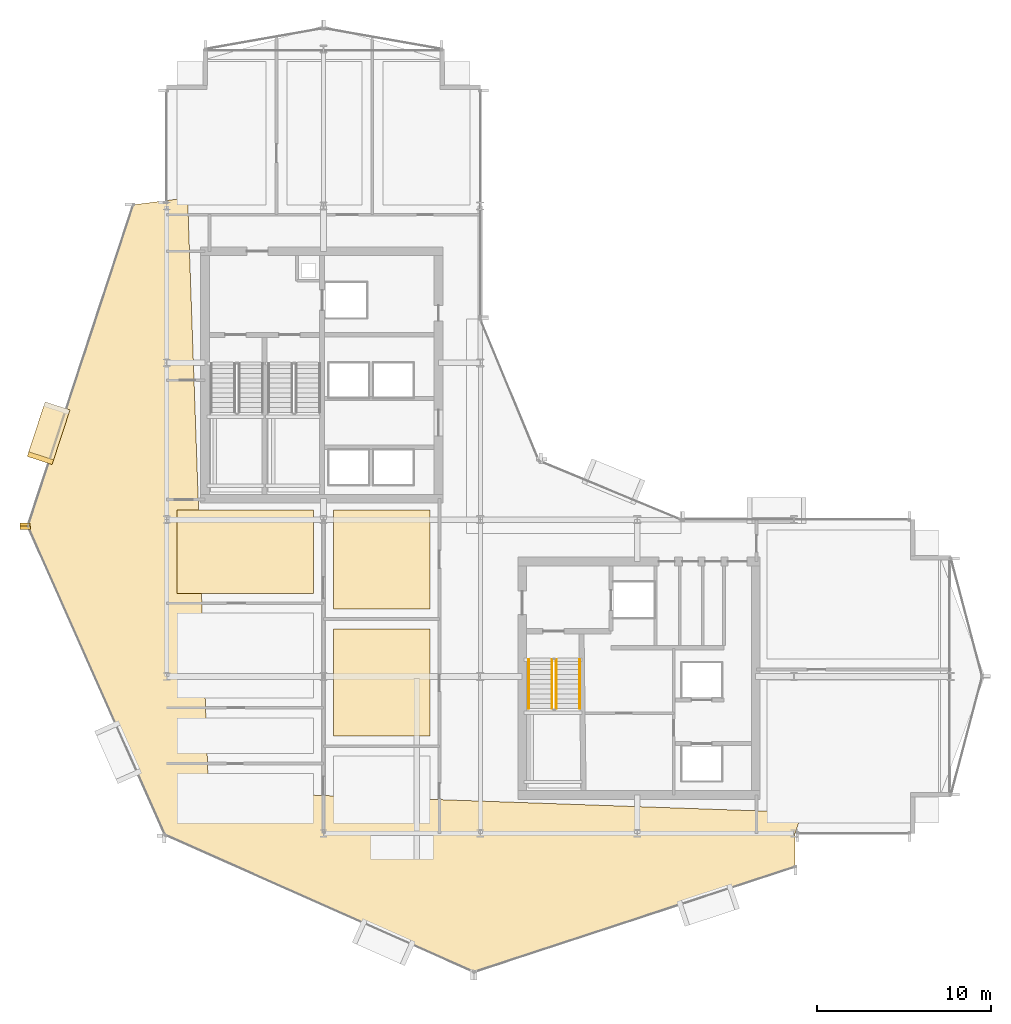
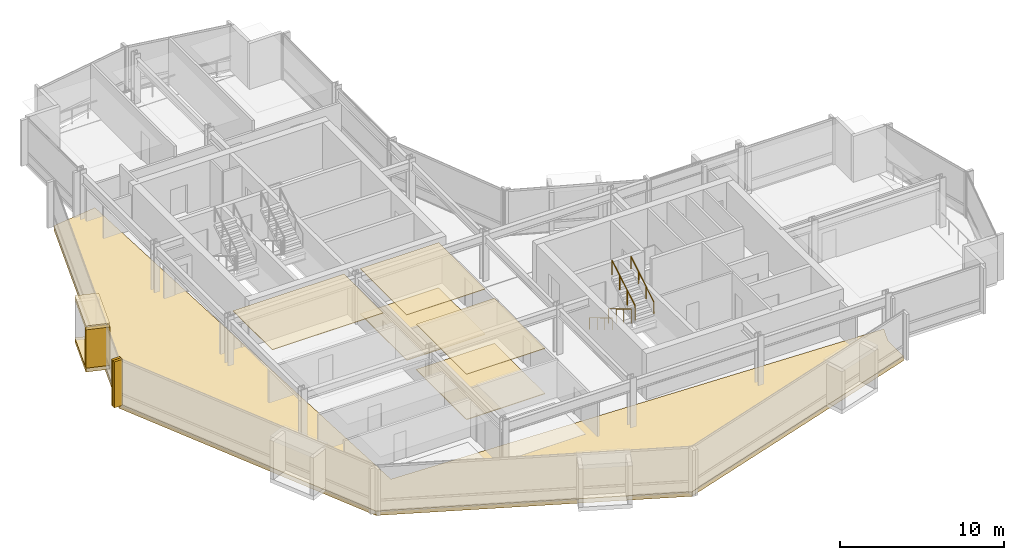
# One storey, part 25 of 28: 11 coverings, 4 railings.
"""IFC4 building model written with IfcOpenShell, lengths in metres."""

from ifc_helpers import new_model, si_unit, direction, frame, origin, origin_2d, place, context, subcontext, project, spatial, polyline, rectangle, circle, outline, extrude, material, layer, layer_set, type_object, element, save


model = new_model("IFC4")

# Units and contexts
model_context = context("Model", 3, precision=1e-05, world=origin(), true_north=direction((0.0, 1.0)))
body_context = subcontext(model_context, "Body", "Model", "MODEL_VIEW")
ifc_project = project(units=[si_unit("LENGTHUNIT", "METRE"), si_unit("AREAUNIT", "SQUARE_METRE"), si_unit("VOLUMEUNIT", "CUBIC_METRE"), si_unit("PLANEANGLEUNIT", "RADIAN"), si_unit("MASSUNIT", "GRAM", prefix="KILO")], contexts=[model_context])

# Site, building, storey
site_placement = place(None, origin())
site = spatial("IfcSite", under=ifc_project, at=site_placement, CompositionType="ELEMENT")
building_placement = place(site_placement, origin())
building = spatial("IfcBuilding", under=site, at=building_placement, Name="Solvaryn Broadcast Tower", CompositionType="ELEMENT")
storey_placement = place(building_placement, frame((0.0, 0.0, 135.89990234375)))
storey = spatial("IfcBuildingStorey", under=building, at=storey_placement, Name="L33", CompositionType="ELEMENT", Elevation=135.89990234375)

# Coverings
ifc_material_1 = material(Name="Micro-Perforated Acoustic Gypsum Ceiling", Category="concrete")
ifc_layer_1 = layer(ifc_material_1, 0.0400390625)
ifc_layer_set_1 = layer_set([ifc_layer_1], Name="CV-CEIL-ACOUSTIC")
covering_type_1 = type_object("IfcCoveringType", Name="CV-CEIL-ACOUSTIC", PredefinedType="CEILING", material=ifc_layer_set_1)
covering_1_placement = place(storey_placement, frame((0.0, 0.0, 3.380126953125)))
element("IfcCovering", 1, at=covering_1_placement, inside=storey, type_object=covering_type_1, Name="L33 Room Acoustic Ceiling 2", PredefinedType="CEILING", context=body_context, shape_type="SweptSolid", body=[
    extrude(outline(polyline([(18.570068359375, 14.570068359375), (24.10009765625, 14.570068359375), (24.10009765625, 20.72998046875), (18.570068359375, 20.72998046875), (18.570068359375, 14.570068359375)])), origin(), (0.0, 0.0, 1.0), 0.0400390625),
])
covering_2_placement = place(storey_placement, frame((0.0, 0.0, 3.380126953125)))
element("IfcCovering", 2, at=covering_2_placement, inside=storey, type_object=covering_type_1, Name="L33 Room Acoustic Ceiling 3", PredefinedType="CEILING", context=body_context, shape_type="SweptSolid", body=[
    extrude(outline(polyline([(18.570068359375, 21.8701171875), (24.10009765625, 21.8701171875), (24.10009765625, 27.56005859375), (18.570068359375, 27.56005859375), (18.570068359375, 21.8701171875)])), origin(), (0.0, 0.0, 1.0), 0.0400390625),
])
covering_3_placement = place(storey_placement, frame((0.0, 0.0, 3.380126953125)))
element("IfcCovering", 3, at=covering_3_placement, inside=storey, type_object=covering_type_1, Name="L33 Room Acoustic Ceiling 7", PredefinedType="CEILING", context=body_context, shape_type="SweptSolid", body=[
    extrude(outline(polyline([(9.60009765625, 22.77001953125), (17.429931640625, 22.77001953125), (17.429931640625, 27.56005859375), (9.60009765625, 27.56005859375), (9.60009765625, 22.77001953125)])), origin(), (0.0, 0.0, 1.0), 0.0400390625),
])
ifc_material_2 = material(Name="Newsroom Raised Data Access Flooring", Category="steel")
ifc_layer_2 = layer(ifc_material_2, 0.050048828125)
ifc_layer_set_2 = layer_set([ifc_layer_2], Name="CV-FLOOR-RAISED")
covering_type_2 = type_object("IfcCoveringType", Name="CV-FLOOR-RAISED", PredefinedType="FLOORING", material=ifc_layer_set_2)
covering_4_placement = place(storey_placement, origin())
element("IfcCovering", 4, at=covering_4_placement, inside=storey, type_object=covering_type_2, Name="L33 Room Acoustic Floor Finish 2", PredefinedType="FLOORING", context=body_context, shape_type="SweptSolid", body=[
    extrude(outline(polyline([(18.570068359375, 14.570068359375), (24.10009765625, 14.570068359375), (24.10009765625, 20.72998046875), (18.570068359375, 20.72998046875), (18.570068359375, 14.570068359375)])), origin(), (0.0, 0.0, 1.0), 0.050048828125),
])
covering_5_placement = place(storey_placement, origin())
element("IfcCovering", 5, at=covering_5_placement, inside=storey, type_object=covering_type_2, Name="L33 Room Acoustic Floor Finish 3", PredefinedType="FLOORING", context=body_context, shape_type="SweptSolid", body=[
    extrude(outline(polyline([(18.570068359375, 21.8701171875), (24.10009765625, 21.8701171875), (24.10009765625, 27.56005859375), (18.570068359375, 27.56005859375), (18.570068359375, 21.8701171875)])), origin(), (0.0, 0.0, 1.0), 0.050048828125),
])
ifc_material_3 = material(Name="Glazed Architectural Terracotta Rainscreen Cladding", Category="masonry")
ifc_layer_3 = layer(ifc_material_3, 0.280029296875)
ifc_layer_set_3 = layer_set([ifc_layer_3], Name="CV-TC-CLAD")
covering_type_3 = type_object("IfcCoveringType", Name="CV-TC-CLAD", PredefinedType="CLADDING", material=ifc_layer_set_3)
for number, where, z_axis, x_axis, name in (
    (6, (2.222900390625, 31.9619140625, 3.1298828125), (0.0, 0.0, 1.0), (-0.311671636848, -0.950189870912, 0.0), "L33 Projecting Stone Window Box Hood 1"),
    (7, (2.222900390625, 31.9619140625, -0.009765625), (0.0, 0.0, 1.0), (-0.311671636848, -0.950189870912, 0.0), "L33 Projecting Stone Window Box Sill 1"),
):
    element("IfcCovering", number, at=place(storey_placement, frame(where, z_axis=z_axis, x_axis=x_axis)), inside=storey, type_object=covering_type_3, Name=name, PredefinedType="CLADDING", context=body_context, shape_type="SweptSolid", body=[
        extrude(rectangle(XDim=3.300048828125, YDim=1.5, at=origin_2d()), origin(), (0.0, 0.0, 1.0), 0.300048828125),
    ])
covering_6_placement = place(storey_placement, frame((1.75244140625, 30.527099609375, 0.2802734375), z_axis=(0.0, 0.0, 1.0), x_axis=(-0.311671636848, -0.950189870912, 0.0)))
element("IfcCovering", 8, at=covering_6_placement, inside=storey, type_object=covering_type_3, Name="L33 Projecting Stone Window Box Cheek 1-2", PredefinedType="CLADDING", context=body_context, shape_type="SweptSolid", body=[
    extrude(rectangle(XDim=0.280029296875, YDim=1.5, at=origin_2d()), origin(), (0.0, 0.0, 1.0), 2.860107421875),
])
ifc_material_4 = material(Name="Extruded Architectural Terracotta Fin", Category="masonry")
ifc_layer_4 = layer(ifc_material_4, 0.179931640625)
ifc_layer_set_4 = layer_set([ifc_layer_4], Name="CV-TC-FIN")
covering_type_4 = type_object("IfcCoveringType", Name="CV-TC-FIN", PredefinedType="USERDEFINED", material=ifc_layer_set_4)
for number, where, z_axis, x_axis, name in (
    (9, (0.872314453125, 26.720703125, 0.000244140625), (0.0, 0.0, 1.0), (1.0, 0.0, 0.0), "L33 Terracotta Vertical Fin FIN-L33-DR1-M01"),
    (10, (0.8818359375, 26.535888671875, 0.000244140625), (0.0, 0.0, 1.0), (1.0, 0.0, 0.0), "L33 Terracotta Vertical Fin FIN-L33-DR2-M00"),
):
    element("IfcCovering", number, at=place(storey_placement, frame(where, z_axis=z_axis, x_axis=x_axis)), inside=storey, type_object=covering_type_4, Name=name, ObjectType="FIN", PredefinedType="USERDEFINED", context=body_context, shape_type="SweptSolid", body=[
        extrude(rectangle(XDim=0.580078125, YDim=0.179931640625, at=origin_2d()), origin(), (0.0, 0.0, 1.0), 3.419921875),
    ])
ifc_material_5 = material(Name="Sculpted Architectural Terracotta Wave Fascia", Category="masonry")
ifc_layer_5 = layer(ifc_material_5, 0.340087890625)
ifc_layer_set_5 = layer_set([ifc_layer_5], Name="CV-WAVE-TRAY")
covering_type_5 = type_object("IfcCoveringType", Name="CV-WAVE-TRAY", PredefinedType="CLADDING", material=ifc_layer_set_5)
covering_7_placement = place(storey_placement, frame((0.0, 0.0, -0.2998046875)))
element("IfcCovering", 11, at=covering_7_placement, inside=storey, type_object=covering_type_5, Name="L33 Stepped Cylindrical Drum Floor Apron", PredefinedType="CLADDING", context=body_context, shape_type="SweptSolid", body=[
    extrude(outline(polyline([(10.199951171875, 45.467041015625), (7.0791015625, 45.06689453125), (1.033935546875, 26.635986328125), (8.907958984375, 8.907958984375), (26.635986328125, 1.033935546875), (45.06689453125, 7.0791015625), (45.06689453125, 9.0), (45.467041015625, 10.199951171875), (11.39990234375, 11.39990234375), (10.199951171875, 45.467041015625)])), origin(), (0.0, 0.0, 1.0), 0.329833984375),
])

# Railings
ifc_material_6 = material(Name="Painted Steel Stair Well Guard", Category="steel")
railing_type_1 = type_object("IfcRailingType", Name="RL-STAIR-GUARD", PredefinedType="BALUSTRADE", material=ifc_material_6)
railing_1_placement = place(storey_placement, frame((31.110107421875, 18.9599609375, 0.168212890625)))
element("IfcRailing", 12, at=railing_1_placement, inside=storey, type_object=railing_type_1, Name="L33 ST3 stair guard 1", PredefinedType="BALUSTRADE", context=body_context, shape_type="SweptSolid", body=[
    extrude(circle(Radius=0.02392578125, at=origin_2d()), frame((0.0, 0.0, 1.076171875), z_axis=(0.0, -0.857242210791, 0.514913383045), x_axis=(1.0, 0.0, 0.0)), (0.0, 0.0, 1.0), 3.266357421875),
    extrude(circle(Radius=0.02099609375, at=origin_2d()), origin(), (0.0, 0.0, 1.0), 1.052001953125),
    extrude(circle(Radius=0.02099609375, at=origin_2d()), frame((0.0, -0.933349609375, 0.560546875)), (0.0, 0.0, 1.0), 1.052001953125),
    extrude(circle(Radius=0.02099609375, at=origin_2d()), frame((0.0, -1.86669921875, 1.121337890625)), (0.0, 0.0, 1.0), 1.052001953125),
    extrude(circle(Radius=0.02099609375, at=origin_2d()), frame((0.0, -2.800048828125, 1.681884765625)), (0.0, 0.0, 1.0), 1.052001953125),
])
railing_2_placement = place(storey_placement, frame((31.360107421875, 16.159912109375, 2.018310546875)))
element("IfcRailing", 13, at=railing_2_placement, inside=storey, type_object=railing_type_1, Name="L33 ST3 stair guard 3", PredefinedType="BALUSTRADE", context=body_context, shape_type="SweptSolid", body=[
    extrude(circle(Radius=0.02392578125, at=origin_2d()), frame((0.0, 0.0, 1.076171875), z_axis=(0.0, 0.857242210791, 0.514913383045), x_axis=(-1.0, 0.0, 0.0)), (0.0, 0.0, 1.0), 3.266357421875),
    extrude(circle(Radius=0.02099609375, at=origin_2d()), origin(), (0.0, 0.0, 1.0), 1.052001953125),
    extrude(circle(Radius=0.02099609375, at=origin_2d()), frame((0.0, 0.933349609375, 0.560546875)), (0.0, 0.0, 1.0), 1.052001953125),
    extrude(circle(Radius=0.02099609375, at=origin_2d()), frame((0.0, 1.86669921875, 1.121337890625)), (0.0, 0.0, 1.0), 1.052001953125),
    extrude(circle(Radius=0.02099609375, at=origin_2d()), frame((0.0, 2.800048828125, 1.681884765625)), (0.0, 0.0, 1.0), 1.052001953125),
])
ifc_material_7 = material(Name="Brushed Stainless Steel Tubular Handrail", Category="steel")
railing_type_2 = type_object("IfcRailingType", Name="RL-STAIR-HANDRAIL", PredefinedType="HANDRAIL", material=ifc_material_7)
railing_3_placement = place(storey_placement, frame((29.77001953125, 18.9599609375, 0.168212890625)))
element("IfcRailing", 14, at=railing_3_placement, inside=storey, type_object=railing_type_2, Name="L33 ST3 stair handrail 1", PredefinedType="HANDRAIL", context=body_context, shape_type="SweptSolid", body=[
    extrude(circle(Radius=0.02392578125, at=origin_2d()), frame((0.0, 0.0, 0.8759765625), z_axis=(0.0, -0.857242210791, 0.514913383045), x_axis=(1.0, 0.0, 0.0)), (0.0, 0.0, 1.0), 3.266357421875),
    extrude(circle(Radius=0.02099609375, at=origin_2d()), origin(), (0.0, 0.0, 1.0), 0.851806640625),
    extrude(circle(Radius=0.02099609375, at=origin_2d()), frame((0.0, -0.933349609375, 0.560546875)), (0.0, 0.0, 1.0), 0.851806640625),
    extrude(circle(Radius=0.02099609375, at=origin_2d()), frame((0.0, -1.86669921875, 1.121337890625)), (0.0, 0.0, 1.0), 0.851806640625),
    extrude(circle(Radius=0.02099609375, at=origin_2d()), frame((0.0, -2.800048828125, 1.681884765625)), (0.0, 0.0, 1.0), 0.851806640625),
])
railing_4_placement = place(storey_placement, frame((32.699951171875, 16.159912109375, 2.018310546875)))
element("IfcRailing", 15, at=railing_4_placement, inside=storey, type_object=railing_type_2, Name="L33 ST3 stair handrail 2", PredefinedType="HANDRAIL", context=body_context, shape_type="SweptSolid", body=[
    extrude(circle(Radius=0.02392578125, at=origin_2d()), frame((0.0, 0.0, 0.8759765625), z_axis=(0.0, 0.857242210791, 0.514913383045), x_axis=(-1.0, 0.0, 0.0)), (0.0, 0.0, 1.0), 3.266357421875),
    extrude(circle(Radius=0.02099609375, at=origin_2d()), origin(), (0.0, 0.0, 1.0), 0.851806640625),
    extrude(circle(Radius=0.02099609375, at=origin_2d()), frame((0.0, 0.933349609375, 0.560546875)), (0.0, 0.0, 1.0), 0.851806640625),
    extrude(circle(Radius=0.02099609375, at=origin_2d()), frame((0.0, 1.86669921875, 1.121337890625)), (0.0, 0.0, 1.0), 0.851806640625),
    extrude(circle(Radius=0.02099609375, at=origin_2d()), frame((0.0, 2.800048828125, 1.681884765625)), (0.0, 0.0, 1.0), 0.851806640625),
])

save(model, "model.ifc")
